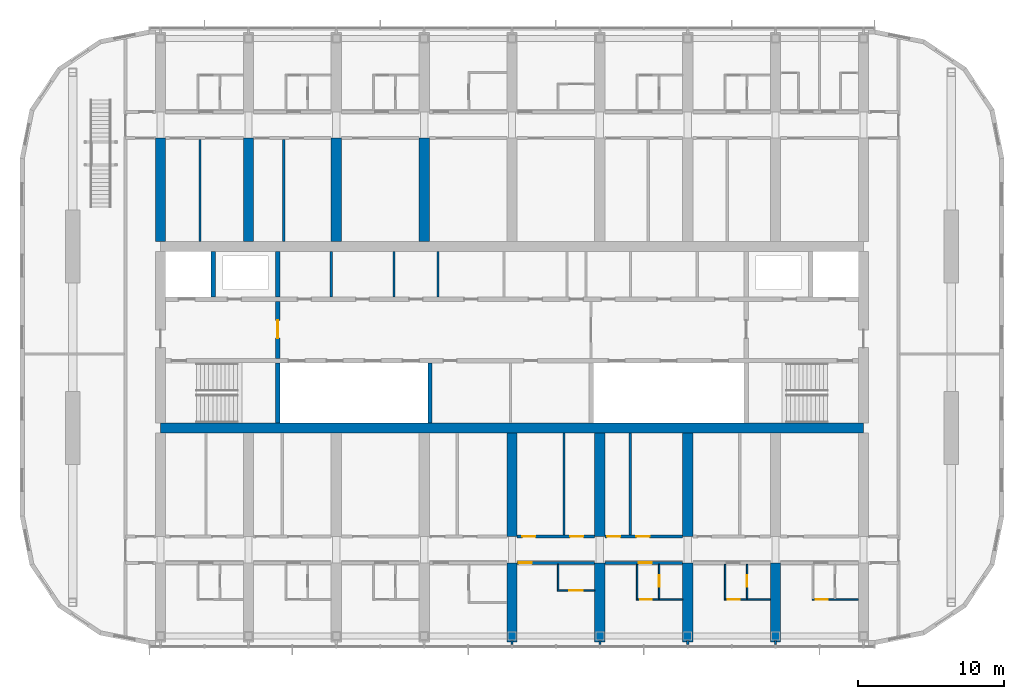
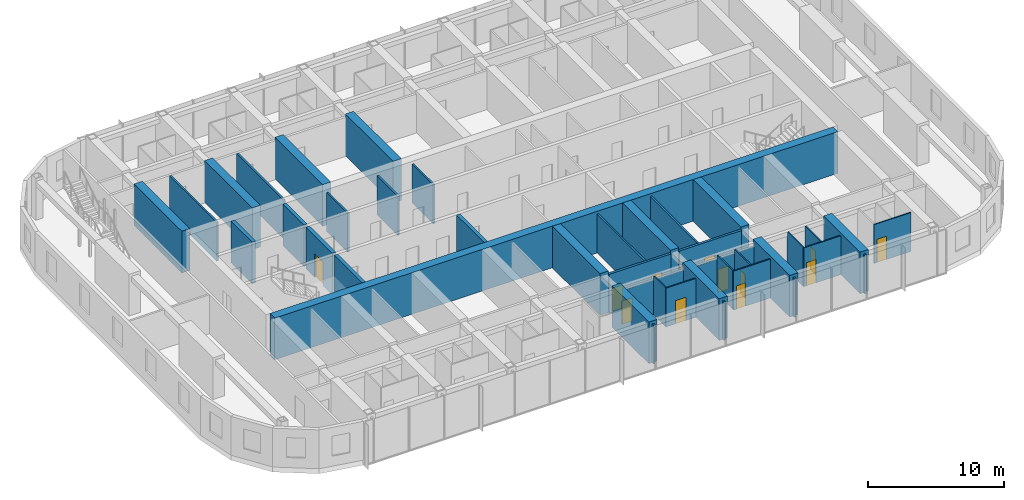
# One storey, part 14 of 27: 41 walls, 13 doors, 13 openings.
"""IFC4 building model written with IfcOpenShell, lengths in metres."""

from ifc_helpers import new_model, si_unit, direction, frame, frame_2d, origin, place, context, subcontext, project, spatial, polyline, rectangle, outline, extrude, material, layer, layer_set, type_object, element, fill, save


model = new_model("IFC4")

# Units and contexts
model_context = context("Model", 3, precision=1e-05, world=origin(), true_north=direction((0.0, 1.0)))
body_context = subcontext(model_context, "Body", "Model", "MODEL_VIEW")
ifc_project = project(units=[si_unit("LENGTHUNIT", "METRE"), si_unit("AREAUNIT", "SQUARE_METRE"), si_unit("VOLUMEUNIT", "CUBIC_METRE"), si_unit("PLANEANGLEUNIT", "RADIAN"), si_unit("MASSUNIT", "GRAM", prefix="KILO")], contexts=[model_context])

# Site, building, storey
site_placement = place(None, origin())
site = spatial("IfcSite", under=ifc_project, at=site_placement, CompositionType="ELEMENT")
building_placement = place(site_placement, origin())
building = spatial("IfcBuilding", under=site, at=building_placement, Name="Orbita Commons", CompositionType="ELEMENT")
storey_placement = place(building_placement, frame((0.0, 0.0, 246.550048828125)))
storey = spatial("IfcBuildingStorey", under=building, at=storey_placement, Name="L61", CompositionType="ELEMENT", Elevation=246.550048828125)

# Wall
ifc_material_1 = material(Name="Concrete C50/60", Category="concrete")
ifc_layer_1 = layer(ifc_material_1, 0.300048828125)
ifc_layer_set_1 = layer_set([ifc_layer_1], Name="Concrete C50/60")
wall_type_1 = type_object("IfcWallType", Name="Core inner wall 300 C50/60", PredefinedType="SHEAR", material=ifc_layer_set_1)
wall_1_placement = place(storey_placement, frame((26.0, 26.14990234375, 0.0), z_axis=(0.0, 0.0, 1.0), x_axis=(0.0, 1.0, 0.0)))
element("IfcWall", 1, at=wall_1_placement, inside=storey, type_object=wall_type_1, Name="Stair S1 wall L61", PredefinedType="SHEAR", context=body_context, shape_type="SweptSolid", body=[
    extrude(rectangle(XDim=4.10009765625, YDim=0.300048828125, at=frame_2d((2.050048828125, 0.0))), origin(), (0.0, 0.0, 1.0), 3.75),
])

# Wall, opening, door
wall_2_placement = place(storey_placement, frame((26.0, 30.550048828125, 0.0), z_axis=(0.0, 0.0, 1.0), x_axis=(0.0, 1.0, 0.0)))
wall_2 = element("IfcWall", 2, at=wall_2_placement, inside=storey, type_object=wall_type_1, Name="Firefighting lobby wall west L61", PredefinedType="SHEAR", context=body_context, shape_type="SweptSolid", body=[
    extrude(rectangle(XDim=3.89990234375, YDim=0.300048828125, at=frame_2d((1.949951171875, 0.0))), origin(), (0.0, 0.0, 1.0), 3.75),
])
opening_1_placement = place(wall_2_placement, frame((1.39990234375, 0.0, 0.0)))
opening_1 = element("IfcOpeningElement", 3, at=opening_1_placement, cuts=wall_2, Name="Opening D04", PredefinedType="OPENING", context=body_context, shape_type="SweptSolid", body=[
    extrude(rectangle(XDim=1.199951171875, YDim=2.10009765625, at=frame_2d((0.60009765625, 1.050048828125))), frame((0.0, 0.159912109375, 0.0), z_axis=(0.0, -1.0, 0.0), x_axis=(1.0, 0.0, 0.0)), (0.0, 0.0, 1.0), 0.320068359375),
])
ifc_material_2 = material(Name="Steel-faced fire door leaf", Category="steel")
door_type_1 = type_object("IfcDoorType", Name="Service door 20 min 1200x2100", OperationType="SINGLE_SWING_LEFT", PredefinedType="DOOR", material=ifc_material_2)
door_1_placement = place(opening_1_placement, origin())
door_1 = element("IfcDoor", 4, at=door_1_placement, inside=storey, type_object=door_type_1, Name="Lift lobby door west", OperationType="SINGLE_SWING_LEFT", OverallHeight=2.10009765625, OverallWidth=1.199951171875, PredefinedType="DOOR", context=body_context, shape_type="SweptSolid", body=[
    extrude(rectangle(XDim=1.199951171875, YDim=2.10009765625, at=frame_2d((0.60009765625, 1.050048828125))), frame((0.0, 0.02490234375, 0.0), z_axis=(0.0, -1.0, 0.0), x_axis=(1.0, 0.0, 0.0)), (0.0, 0.0, 1.0), 0.050048828125),
])
fill(opening_1, door_1)

# Walls
for number, where, z_axis, x_axis, name in (
    (5, (21.60009765625, 34.75, 0.0), (0.0, 0.0, 1.0), (0.0, 1.0, 0.0), "Firefighting lift FL1 shaft wall L61"),
    (6, (26.0, 34.75, 0.0), (0.0, 0.0, 1.0), (0.0, 1.0, 0.0), "Riser wall west L61"),
):
    element("IfcWall", number, at=place(storey_placement, frame(where, z_axis=z_axis, x_axis=x_axis)), inside=storey, type_object=wall_type_1, Name=name, PredefinedType="SHEAR", context=body_context, shape_type="SweptSolid", body=[
        extrude(rectangle(XDim=3.10009765625, YDim=0.300048828125, at=frame_2d((1.550048828125, 0.0))), origin(), (0.0, 0.0, 1.0), 3.75),
    ])
wall_3_placement = place(storey_placement, frame((36.39990234375, 26.14990234375, 0.0), z_axis=(0.0, 0.0, 1.0), x_axis=(0.0, 1.0, 0.0)))
element("IfcWall", 7, at=wall_3_placement, inside=storey, type_object=wall_type_1, Name="Hoistway division wall L61", PredefinedType="SHEAR", context=body_context, shape_type="SweptSolid", body=[
    extrude(rectangle(XDim=4.10009765625, YDim=0.300048828125, at=frame_2d((2.050048828125, 0.0))), origin(), (0.0, 0.0, 1.0), 3.75),
])
ifc_material_3 = material(Name="Concrete blockwork", Category="masonry")
ifc_layer_2 = layer(ifc_material_3, 0.14990234375)
ifc_layer_set_2 = layer_set([ifc_layer_2], Name="Concrete blockwork")
wall_type_2 = type_object("IfcWallType", Name="Core partition 150 blockwork", PredefinedType="SOLIDWALL", material=ifc_layer_set_2)
for number, where, z_axis, x_axis, name in (
    (8, (29.65087890625, 34.75, 0.0), (0.0, 0.0, 1.0), (0.0, 1.0, 0.0), "Core partition 150 blockwork L61"),
    (9, (33.9462890625, 34.75, 0.0), (0.0, 0.0, 1.0), (0.0, 1.0, 0.0), "Core partition 150 blockwork L61"),
    (10, (36.9462890625, 34.75, 0.0), (0.0, 0.0, 1.0), (0.0, 1.0, 0.0), "Core partition 150 blockwork L61"),
):
    element("IfcWall", number, at=place(storey_placement, frame(where, z_axis=z_axis, x_axis=x_axis)), inside=storey, type_object=wall_type_2, Name=name, PredefinedType="SOLIDWALL", context=body_context, shape_type="SweptSolid", body=[
        extrude(rectangle(XDim=3.10009765625, YDim=0.14990234375, at=frame_2d((1.550048828125, 0.0))), origin(), (0.0, 0.0, 1.0), 3.5),
    ])
ifc_material_4 = material(Name="Concrete C50/60", Category="concrete")
ifc_layer_3 = layer(ifc_material_4, 0.699951171875)
ifc_layer_set_3 = layer_set([ifc_layer_3], Name="Concrete C50/60")
wall_type_3 = type_object("IfcWallType", Name="Core wall 700 C50/60", PredefinedType="SHEAR", material=ifc_layer_set_3)
wall_4_placement = place(storey_placement, frame((18.0, 25.800048828125, 0.0), z_axis=(0.0, 0.0, 1.0), x_axis=(1.0, 0.0, 0.0)))
element("IfcWall", 11, at=wall_4_placement, inside=storey, type_object=wall_type_3, Name="Core spine wall south L61", PredefinedType="SHEAR", context=body_context, shape_type="SweptSolid", body=[
    extrude(rectangle(XDim=48.0, YDim=0.699951171875, at=frame_2d((24.0, 0.0))), origin(), (0.0, 0.0, 1.0), 3.75),
])

# Wall, opening, door
ifc_material_5 = material(Name="Concrete blockwork", Category="masonry")
ifc_layer_4 = layer(ifc_material_5, 0.199951171875)
ifc_layer_set_4 = layer_set([ifc_layer_4], Name="Concrete blockwork")
wall_type_4 = type_object("IfcWallType", Name="Corridor wall 200 blockwork", PredefinedType="SOLIDWALL", material=ifc_layer_set_4)
wall_5_placement = place(storey_placement, frame((42.35009765625, 16.60009765625, 0.0), z_axis=(0.0, 0.0, 1.0), x_axis=(1.0, 0.0, 0.0)))
wall_5 = element("IfcWall", 12, at=wall_5_placement, inside=storey, type_object=wall_type_4, Name="Corridor wall 200 blockwork L61", PredefinedType="SOLIDWALL", context=body_context, shape_type="SweptSolid", body=[
    extrude(outline(polyline([(0.0, 0.0), (5.2998046875, 0.0), (5.300048828125, 3.099853515625), (0.0, 3.099853515625), (0.0, 0.0)])), frame((0.0, 0.10009765625, 0.0), z_axis=(0.0, -1.0, 0.0), x_axis=(1.0, 0.0, 0.0)), (0.0, 0.0, 1.0), 0.199951171875),
])
opening_2_placement = place(wall_5_placement, frame((0.10009765625, 0.0, 0.0)))
opening_2 = element("IfcOpeningElement", 13, at=opening_2_placement, cuts=wall_5, Name="Opening D11", PredefinedType="OPENING", context=body_context, shape_type="SweptSolid", body=[
    extrude(rectangle(XDim=0.89990234375, YDim=2.10009765625, at=frame_2d((0.449951171875, 1.050048828125))), frame((0.0, 0.10986328125, 0.0), z_axis=(0.0, -1.0, 0.0), x_axis=(1.0, 0.0, 0.0)), (0.0, 0.0, 1.0), 0.219970703125),
])
ifc_material_6 = material(Name="Steel-faced fire door leaf", Category="steel")
door_type_2 = type_object("IfcDoorType", Name="Corridor door 20 min 900x2100", OperationType="SINGLE_SWING_LEFT", PredefinedType="DOOR", material=ifc_material_6)
door_2_placement = place(opening_2_placement, origin())
door_2 = element("IfcDoor", 14, at=door_2_placement, inside=storey, type_object=door_type_2, Name="Studio apartment with kitchenette L61-S08 door", OperationType="SINGLE_SWING_LEFT", OverallHeight=2.10009765625, OverallWidth=0.89990234375, PredefinedType="DOOR", context=body_context, shape_type="SweptSolid", body=[
    extrude(rectangle(XDim=0.89990234375, YDim=2.10009765625, at=frame_2d((0.449951171875, 1.050048828125))), frame((0.0, 0.02490234375, 0.0), z_axis=(0.0, -1.0, 0.0), x_axis=(1.0, 0.0, 0.0)), (0.0, 0.0, 1.0), 0.050048828125),
])
fill(opening_2, door_2)

wall_6_placement = place(storey_placement, frame((48.35009765625, 16.60009765625, 0.0), z_axis=(0.0, 0.0, 1.0), x_axis=(1.0, 0.0, 0.0)))
wall_6 = element("IfcWall", 15, at=wall_6_placement, inside=storey, type_object=wall_type_4, Name="Corridor wall 200 blockwork L61", PredefinedType="SOLIDWALL", context=body_context, shape_type="SweptSolid", body=[
    extrude(outline(polyline([(0.0, 0.0), (5.2998046875, 0.0), (5.300048828125, 3.099853515625), (0.0, 3.099853515625), (0.0, 0.0)])), frame((0.0, 0.10009765625, 0.0), z_axis=(0.0, -1.0, 0.0), x_axis=(1.0, 0.0, 0.0)), (0.0, 0.0, 1.0), 0.199951171875),
])
opening_3_placement = place(wall_6_placement, frame((2.300048828125, 0.0, 0.0)))
opening_3 = element("IfcOpeningElement", 16, at=opening_3_placement, cuts=wall_6, Name="Opening D11", PredefinedType="OPENING", context=body_context, shape_type="SweptSolid", body=[
    extrude(rectangle(XDim=0.89990234375, YDim=2.10009765625, at=frame_2d((0.449951171875, 1.050048828125))), frame((0.0, 0.10986328125, 0.0), z_axis=(0.0, -1.0, 0.0), x_axis=(1.0, 0.0, 0.0)), (0.0, 0.0, 1.0), 0.219970703125),
])
door_3_placement = place(opening_3_placement, origin())
door_3 = element("IfcDoor", 17, at=door_3_placement, inside=storey, type_object=door_type_2, Name="Studio flat L61-S10 entrance door", OperationType="SINGLE_SWING_LEFT", OverallHeight=2.10009765625, OverallWidth=0.89990234375, PredefinedType="DOOR", context=body_context, shape_type="SweptSolid", body=[
    extrude(rectangle(XDim=0.89990234375, YDim=2.10009765625, at=frame_2d((0.449951171875, 1.050048828125))), frame((0.0, 0.02490234375, 0.0), z_axis=(0.0, -1.0, 0.0), x_axis=(1.0, 0.0, 0.0)), (0.0, 0.0, 1.0), 0.050048828125),
])
fill(opening_3, door_3)

# Wall, openings, doors
ifc_material_7 = material(Name="Hollow concrete block 200", Category="concrete")
ifc_layer_5 = layer(ifc_material_7, 0.199951171875)
ifc_layer_set_5 = layer_set([ifc_layer_5], Name="Hollow concrete block 200")
wall_type_5 = type_object("IfcWallType", Name="Corridor wall 200 hollow concrete block", PredefinedType="SOLIDWALL", material=ifc_layer_set_5)
wall_7_placement = place(storey_placement, frame((42.35009765625, 18.39990234375, 0.0), z_axis=(0.0, 0.0, 1.0), x_axis=(1.0, 0.0, 0.0)))
wall_7 = element("IfcWall", 18, at=wall_7_placement, inside=storey, type_object=wall_type_5, Name="Corridor wall 200 hollow concrete block L61", PredefinedType="SOLIDWALL", context=body_context, shape_type="SweptSolid", body=[
    extrude(rectangle(XDim=5.2998046875, YDim=0.199951171875, at=frame_2d((2.64990234375, 0.0))), origin(), (0.0, 0.0, 1.0), 3.5),
])
opening_4_placement = place(wall_7_placement, frame((0.35009765625, 0.0, 0.0)))
opening_4 = element("IfcOpeningElement", 19, at=opening_4_placement, cuts=wall_7, Name="Opening D11", PredefinedType="OPENING", context=body_context, shape_type="SweptSolid", body=[
    extrude(rectangle(XDim=0.89990234375, YDim=2.10009765625, at=frame_2d((0.449951171875, 1.050048828125))), frame((0.0, 0.10986328125, 0.0), z_axis=(0.0, -1.0, 0.0), x_axis=(1.0, 0.0, 0.0)), (0.0, 0.0, 1.0), 0.219970703125),
])
opening_5_placement = place(wall_7_placement, frame((3.6201171875, 0.0, 0.0)))
opening_5 = element("IfcOpeningElement", 20, at=opening_5_placement, cuts=wall_7, Name="Opening D11", PredefinedType="OPENING", context=body_context, shape_type="SweptSolid", body=[
    extrude(rectangle(XDim=0.89990234375, YDim=2.10009765625, at=frame_2d((0.449951171875, 1.050048828125))), frame((0.0, 0.10986328125, 0.0), z_axis=(0.0, -1.0, 0.0), x_axis=(1.0, 0.0, 0.0)), (0.0, 0.0, 1.0), 0.219970703125),
])
door_4_placement = place(opening_4_placement, origin())
door_4 = element("IfcDoor", 21, at=door_4_placement, inside=storey, type_object=door_type_2, Name="Ventilation plant room south L61-BDS42 door", OperationType="SINGLE_SWING_LEFT", OverallHeight=2.10009765625, OverallWidth=0.89990234375, PredefinedType="DOOR", context=body_context, shape_type="SweptSolid", body=[
    extrude(rectangle(XDim=0.89990234375, YDim=2.10009765625, at=frame_2d((0.449951171875, 1.050048828125))), frame((0.0, 0.02490234375, 0.0), z_axis=(0.0, -1.0, 0.0), x_axis=(1.0, 0.0, 0.0)), (0.0, 0.0, 1.0), 0.050048828125),
])
fill(opening_4, door_4)
door_5_placement = place(opening_5_placement, origin())
door_5 = element("IfcDoor", 22, at=door_5_placement, inside=storey, type_object=door_type_2, Name="Water heater cupboard L61-BDS42n door", OperationType="SINGLE_SWING_LEFT", OverallHeight=2.10009765625, OverallWidth=0.89990234375, PredefinedType="DOOR", context=body_context, shape_type="SweptSolid", body=[
    extrude(rectangle(XDim=0.89990234375, YDim=2.10009765625, at=frame_2d((0.449951171875, 1.050048828125))), frame((0.0, 0.02490234375, 0.0), z_axis=(0.0, -1.0, 0.0), x_axis=(1.0, 0.0, 0.0)), (0.0, 0.0, 1.0), 0.050048828125),
])
fill(opening_5, door_5)

wall_8_placement = place(storey_placement, frame((48.35009765625, 18.39990234375, 0.0), z_axis=(0.0, 0.0, 1.0), x_axis=(1.0, 0.0, 0.0)))
wall_8 = element("IfcWall", 23, at=wall_8_placement, inside=storey, type_object=wall_type_5, Name="Corridor wall 200 hollow concrete block L61", PredefinedType="SOLIDWALL", context=body_context, shape_type="SweptSolid", body=[
    extrude(rectangle(XDim=5.2998046875, YDim=0.199951171875, at=frame_2d((2.64990234375, 0.0))), origin(), (0.0, 0.0, 1.0), 3.5),
])
opening_6_placement = place(wall_8_placement, frame((0.14990234375, 0.0, 0.0)))
opening_6 = element("IfcOpeningElement", 24, at=opening_6_placement, cuts=wall_8, Name="Opening D11", PredefinedType="OPENING", context=body_context, shape_type="SweptSolid", body=[
    extrude(rectangle(XDim=0.89990234375, YDim=2.10009765625, at=frame_2d((0.449951171875, 1.050048828125))), frame((0.0, 0.10986328125, 0.0), z_axis=(0.0, -1.0, 0.0), x_axis=(1.0, 0.0, 0.0)), (0.0, 0.0, 1.0), 0.219970703125),
])
opening_7_placement = place(wall_8_placement, frame((2.14990234375, 0.0, 0.0)))
opening_7 = element("IfcOpeningElement", 25, at=opening_7_placement, cuts=wall_8, Name="Opening D11", PredefinedType="OPENING", context=body_context, shape_type="SweptSolid", body=[
    extrude(rectangle(XDim=0.89990234375, YDim=2.10009765625, at=frame_2d((0.449951171875, 1.050048828125))), frame((0.0, 0.10986328125, 0.0), z_axis=(0.0, -1.0, 0.0), x_axis=(1.0, 0.0, 0.0)), (0.0, 0.0, 1.0), 0.219970703125),
])
door_6_placement = place(opening_6_placement, origin())
door_6 = element("IfcDoor", 26, at=door_6_placement, inside=storey, type_object=door_type_2, Name="Equipment store L61-BDS48n door", OperationType="SINGLE_SWING_LEFT", OverallHeight=2.10009765625, OverallWidth=0.89990234375, PredefinedType="DOOR", context=body_context, shape_type="SweptSolid", body=[
    extrude(rectangle(XDim=0.89990234375, YDim=2.10009765625, at=frame_2d((0.449951171875, 1.050048828125))), frame((0.0, 0.02490234375, 0.0), z_axis=(0.0, -1.0, 0.0), x_axis=(1.0, 0.0, 0.0)), (0.0, 0.0, 1.0), 0.050048828125),
])
fill(opening_6, door_6)
door_7_placement = place(opening_7_placement, origin())
door_7 = element("IfcDoor", 27, at=door_7_placement, inside=storey, type_object=door_type_2, Name="Refuse and recycling room L61-BDS48 door", OperationType="SINGLE_SWING_LEFT", OverallHeight=2.10009765625, OverallWidth=0.89990234375, PredefinedType="DOOR", context=body_context, shape_type="SweptSolid", body=[
    extrude(rectangle(XDim=0.89990234375, YDim=2.10009765625, at=frame_2d((0.449951171875, 1.050048828125))), frame((0.0, 0.02490234375, 0.0), z_axis=(0.0, -1.0, 0.0), x_axis=(1.0, 0.0, 0.0)), (0.0, 0.0, 1.0), 0.050048828125),
])
fill(opening_7, door_7)

# Walls
ifc_material_8 = material(Name="Concrete C50/60", Category="concrete")
ifc_layer_6 = layer(ifc_material_8, 0.699951171875)
ifc_layer_set_6 = layer_set([ifc_layer_6], Name="Concrete C50/60")
wall_type_6 = type_object("IfcWallType", Name="Cross wall 700 C50/60", PredefinedType="SHEAR", material=ifc_layer_set_6)
for number, where, z_axis, x_axis, name in (
    (28, (18.0, 38.550048828125, 0.0), (0.0, 0.0, 1.0), (0.0, 1.0, 0.0), "Cross wall 4 north inner L61"),
    (29, (24.0, 38.550048828125, 0.0), (0.0, 0.0, 1.0), (0.0, 1.0, 0.0), "Cross wall 5 north inner L61"),
    (30, (30.0, 38.550048828125, 0.0), (0.0, 0.0, 1.0), (0.0, 1.0, 0.0), "Cross wall 6 north inner L61"),
    (31, (36.0, 38.550048828125, 0.0), (0.0, 0.0, 1.0), (0.0, 1.0, 0.0), "Cross wall 7 north inner L61"),
):
    element("IfcWall", number, at=place(storey_placement, frame(where, z_axis=z_axis, x_axis=x_axis)), inside=storey, type_object=wall_type_6, Name=name, PredefinedType="SHEAR", context=body_context, shape_type="SweptSolid", body=[
        extrude(rectangle(XDim=7.050048828125, YDim=0.699951171875, at=frame_2d((3.52490234375, 0.0))), origin(), (0.0, 0.0, 1.0), 3.75),
    ])
wall_9_placement = place(storey_placement, frame((42.0, 11.199951171875, 0.0), z_axis=(0.0, 0.0, 1.0), x_axis=(0.0, 1.0, 0.0)))
element("IfcWall", 32, at=wall_9_placement, inside=storey, type_object=wall_type_6, Name="Cross wall 8 south outer L61", PredefinedType="SHEAR", context=body_context, shape_type="SweptSolid", body=[
    extrude(rectangle(XDim=5.400146484375, YDim=0.699951171875, at=frame_2d((2.7001953125, 0.0))), origin(), (0.0, 0.0, 1.0), 3.75),
])
wall_10_placement = place(storey_placement, frame((42.0, 18.39990234375, 0.0), z_axis=(0.0, 0.0, 1.0), x_axis=(0.0, 1.0, 0.0)))
element("IfcWall", 33, at=wall_10_placement, inside=storey, type_object=wall_type_6, Name="Cross wall 8 south inner L61", PredefinedType="SHEAR", context=body_context, shape_type="SweptSolid", body=[
    extrude(rectangle(XDim=7.050048828125, YDim=0.699951171875, at=frame_2d((3.52490234375, 0.0))), origin(), (0.0, 0.0, 1.0), 3.75),
])
wall_11_placement = place(storey_placement, frame((48.0, 11.199951171875, 0.0), z_axis=(0.0, 0.0, 1.0), x_axis=(0.0, 1.0, 0.0)))
element("IfcWall", 34, at=wall_11_placement, inside=storey, type_object=wall_type_6, Name="Cross wall 9 south outer L61", PredefinedType="SHEAR", context=body_context, shape_type="SweptSolid", body=[
    extrude(rectangle(XDim=5.400146484375, YDim=0.699951171875, at=frame_2d((2.7001953125, 0.0))), origin(), (0.0, 0.0, 1.0), 3.75),
])
wall_12_placement = place(storey_placement, frame((48.0, 18.39990234375, 0.0), z_axis=(0.0, 0.0, 1.0), x_axis=(0.0, 1.0, 0.0)))
element("IfcWall", 35, at=wall_12_placement, inside=storey, type_object=wall_type_6, Name="Cross wall 9 south inner L61", PredefinedType="SHEAR", context=body_context, shape_type="SweptSolid", body=[
    extrude(rectangle(XDim=7.050048828125, YDim=0.699951171875, at=frame_2d((3.52490234375, 0.0))), origin(), (0.0, 0.0, 1.0), 3.75),
])
wall_13_placement = place(storey_placement, frame((54.0, 11.199951171875, 0.0), z_axis=(0.0, 0.0, 1.0), x_axis=(0.0, 1.0, 0.0)))
element("IfcWall", 36, at=wall_13_placement, inside=storey, type_object=wall_type_6, Name="Cross wall 10 south outer L61", PredefinedType="SHEAR", context=body_context, shape_type="SweptSolid", body=[
    extrude(rectangle(XDim=5.400146484375, YDim=0.699951171875, at=frame_2d((2.7001953125, 0.0))), origin(), (0.0, 0.0, 1.0), 3.75),
])
wall_14_placement = place(storey_placement, frame((54.0, 18.39990234375, 0.0), z_axis=(0.0, 0.0, 1.0), x_axis=(0.0, 1.0, 0.0)))
element("IfcWall", 37, at=wall_14_placement, inside=storey, type_object=wall_type_6, Name="Cross wall 10 south inner L61", PredefinedType="SHEAR", context=body_context, shape_type="SweptSolid", body=[
    extrude(rectangle(XDim=7.050048828125, YDim=0.699951171875, at=frame_2d((3.52490234375, 0.0))), origin(), (0.0, 0.0, 1.0), 3.75),
])
wall_15_placement = place(storey_placement, frame((60.0, 11.199951171875, 0.0), z_axis=(0.0, 0.0, 1.0), x_axis=(0.0, 1.0, 0.0)))
element("IfcWall", 38, at=wall_15_placement, inside=storey, type_object=wall_type_6, Name="Cross wall 11 south outer L61", PredefinedType="SHEAR", context=body_context, shape_type="SweptSolid", body=[
    extrude(rectangle(XDim=5.400146484375, YDim=0.699951171875, at=frame_2d((2.7001953125, 0.0))), origin(), (0.0, 0.0, 1.0), 3.75),
])

# Wall, opening, door
ifc_material_9 = material(Name="Moisture-resistant plasterboard on steel studs", Category="steel")
ifc_layer_7 = layer(ifc_material_9, 0.10009765625)
ifc_layer_set_7 = layer_set([ifc_layer_7], Name="Moisture-resistant plasterboard on steel studs")
wall_type_7 = type_object("IfcWallType", Name="En-suite partition 100", PredefinedType="PARTITIONING", material=ifc_layer_set_7)
wall_16_placement = place(storey_placement, frame((47.64990234375, 14.699951171875, 0.0), z_axis=(0.0, 0.0, 1.0), x_axis=(-1.0, 0.0, 0.0)))
wall_16 = element("IfcWall", 39, at=wall_16_placement, inside=storey, type_object=wall_type_7, Name="En-suite partition 100 L61", PredefinedType="PARTITIONING", context=body_context, shape_type="SweptSolid", body=[
    extrude(rectangle(XDim=2.5498046875, YDim=0.10009765625, at=frame_2d((1.27490234375, 0.0))), origin(), (0.0, 0.0, 1.0), 3.5),
])
opening_8_placement = place(wall_16_placement, frame((0.824951171875, 0.0, 0.0)))
opening_8 = element("IfcOpeningElement", 40, at=opening_8_placement, cuts=wall_16, Name="Opening D09", PredefinedType="OPENING", context=body_context, shape_type="SweptSolid", body=[
    extrude(rectangle(XDim=0.89990234375, YDim=2.10009765625, at=frame_2d((0.449951171875, 1.050048828125))), frame((0.0, 0.06005859375, 0.0), z_axis=(0.0, -1.0, 0.0), x_axis=(1.0, 0.0, 0.0)), (0.0, 0.0, 1.0), 0.1201171875),
])
ifc_material_10 = material(Name="Laminated timber door leaf", Category="wood")
door_type_3 = type_object("IfcDoorType", Name="En-suite door 900x2100", OperationType="SINGLE_SWING_RIGHT", PredefinedType="DOOR", material=ifc_material_10)
door_8_placement = place(opening_8_placement, origin())
door_8 = element("IfcDoor", 41, at=door_8_placement, inside=storey, type_object=door_type_3, Name="En-suite L61-S08 door", OperationType="SINGLE_SWING_RIGHT", OverallHeight=2.10009765625, OverallWidth=0.89990234375, PredefinedType="DOOR", context=body_context, shape_type="SweptSolid", body=[
    extrude(rectangle(XDim=0.89990234375, YDim=2.10009765625, at=frame_2d((0.449951171875, 1.050048828125))), frame((0.0, 0.02490234375, 0.0), z_axis=(0.0, -1.0, 0.0), x_axis=(1.0, 0.0, 0.0)), (0.0, 0.0, 1.0), 0.050048828125),
])
fill(opening_8, door_8)

# Wall
wall_17_placement = place(storey_placement, frame((45.14990234375, 14.75, 0.0), z_axis=(0.0, 0.0, 1.0), x_axis=(0.0, 1.0, 0.0)))
element("IfcWall", 42, at=wall_17_placement, inside=storey, type_object=wall_type_7, Name="En-suite partition 100 L61", PredefinedType="PARTITIONING", context=body_context, shape_type="SweptSolid", body=[
    extrude(outline(polyline([(0.0, 0.0), (1.75, 0.0), (1.75, 3.099853515625), (1.701904296875, 3.099853515625), (1.699951171875, 3.5), (0.0, 3.5), (0.0, 0.0)])), frame((0.0, 0.050048828125, 0.0), z_axis=(0.0, -1.0, 0.0), x_axis=(1.0, 0.0, 0.0)), (0.0, 0.0, 1.0), 0.10009765625),
])

# Wall, opening, door
wall_18_placement = place(storey_placement, frame((53.64990234375, 14.10009765625, 0.0), z_axis=(0.0, 0.0, 1.0), x_axis=(-1.0, 0.0, 0.0)))
wall_18 = element("IfcWall", 43, at=wall_18_placement, inside=storey, type_object=wall_type_7, Name="En-suite partition 100 L61", PredefinedType="PARTITIONING", context=body_context, shape_type="SweptSolid", body=[
    extrude(rectangle(XDim=3.14990234375, YDim=0.10009765625, at=frame_2d((1.574951171875, 0.0))), origin(), (0.0, 0.0, 1.0), 3.5),
])
opening_9_placement = place(wall_18_placement, frame((2.10009765625, 0.0, 0.0)))
opening_9 = element("IfcOpeningElement", 44, at=opening_9_placement, cuts=wall_18, Name="Opening D16", PredefinedType="OPENING", context=body_context, shape_type="SweptSolid", body=[
    extrude(rectangle(XDim=0.800048828125, YDim=2.10009765625, at=frame_2d((0.39990234375, 1.050048828125))), frame((0.0, 0.06005859375, 0.0), z_axis=(0.0, -1.0, 0.0), x_axis=(1.0, 0.0, 0.0)), (0.0, 0.0, 1.0), 0.1201171875),
])
ifc_material_11 = material(Name="Laminated timber door leaf", Category="wood")
door_type_4 = type_object("IfcDoorType", Name="En-suite door 800x2100", OperationType="SINGLE_SWING_RIGHT", PredefinedType="DOOR", material=ifc_material_11)
door_9_placement = place(opening_9_placement, origin())
door_9 = element("IfcDoor", 45, at=door_9_placement, inside=storey, type_object=door_type_4, Name="Studio flat L61-S10 door", OperationType="SINGLE_SWING_RIGHT", OverallHeight=2.10009765625, OverallWidth=0.800048828125, PredefinedType="DOOR", context=body_context, shape_type="SweptSolid", body=[
    extrude(rectangle(XDim=0.800048828125, YDim=2.10009765625, at=frame_2d((0.39990234375, 1.050048828125))), frame((0.0, 0.02490234375, 0.0), z_axis=(0.0, -1.0, 0.0), x_axis=(1.0, 0.0, 0.0)), (0.0, 0.0, 1.0), 0.050048828125),
])
fill(opening_9, door_9)

# Wall
wall_19_placement = place(storey_placement, frame((50.550048828125, 14.14990234375, 0.0), z_axis=(0.0, 0.0, 1.0), x_axis=(0.0, 1.0, 0.0)))
element("IfcWall", 46, at=wall_19_placement, inside=storey, type_object=wall_type_7, Name="En-suite partition 100 L61", PredefinedType="PARTITIONING", context=body_context, shape_type="SweptSolid", body=[
    extrude(outline(polyline([(0.0, 0.0), (2.35009765625, 0.0), (2.35009765625, 3.099853515625), (2.302001953125, 3.099853515625), (2.300048828125, 3.5), (0.0, 3.5), (0.0, 0.0)])), frame((0.0, 0.050048828125, 0.0), z_axis=(0.0, -1.0, 0.0), x_axis=(1.0, 0.0, 0.0)), (0.0, 0.0, 1.0), 0.10009765625),
])

# Wall, opening, door
wall_20_placement = place(storey_placement, frame((52.050048828125, 14.14990234375, 0.0), z_axis=(0.0, 0.0, 1.0), x_axis=(0.0, 1.0, 0.0)))
wall_20 = element("IfcWall", 47, at=wall_20_placement, inside=storey, type_object=wall_type_7, Name="En-suite partition 100 L61", PredefinedType="PARTITIONING", context=body_context, shape_type="SweptSolid", body=[
    extrude(outline(polyline([(0.0, 0.0), (2.35009765625, 0.0), (2.35009765625, 3.099853515625), (2.302001953125, 3.099853515625), (2.300048828125, 3.5), (0.0, 3.5), (0.0, 0.0)])), frame((0.0, 0.050048828125, 0.0), z_axis=(0.0, -1.0, 0.0), x_axis=(1.0, 0.0, 0.0)), (0.0, 0.0, 1.0), 0.10009765625),
])
opening_10_placement = place(wall_20_placement, frame((0.800048828125, 0.0, 0.0)))
opening_10 = element("IfcOpeningElement", 48, at=opening_10_placement, cuts=wall_20, Name="Opening D16", PredefinedType="OPENING", context=body_context, shape_type="SweptSolid", body=[
    extrude(rectangle(XDim=0.800048828125, YDim=2.10009765625, at=frame_2d((0.39990234375, 1.050048828125))), frame((0.0, 0.06005859375, 0.0), z_axis=(0.0, -1.0, 0.0), x_axis=(1.0, 0.0, 0.0)), (0.0, 0.0, 1.0), 0.1201171875),
])
door_10_placement = place(opening_10_placement, origin())
door_10 = element("IfcDoor", 49, at=door_10_placement, inside=storey, type_object=door_type_4, Name="Studio flat shower room L61-S10 door", OperationType="SINGLE_SWING_RIGHT", OverallHeight=2.10009765625, OverallWidth=0.800048828125, PredefinedType="DOOR", context=body_context, shape_type="SweptSolid", body=[
    extrude(rectangle(XDim=0.800048828125, YDim=2.10009765625, at=frame_2d((0.39990234375, 1.050048828125))), frame((0.0, 0.02490234375, 0.0), z_axis=(0.0, -1.0, 0.0), x_axis=(1.0, 0.0, 0.0)), (0.0, 0.0, 1.0), 0.050048828125),
])
fill(opening_10, door_10)

wall_21_placement = place(storey_placement, frame((59.64990234375, 14.10009765625, 0.0), z_axis=(0.0, 0.0, 1.0), x_axis=(-1.0, 0.0, 0.0)))
wall_21 = element("IfcWall", 50, at=wall_21_placement, inside=storey, type_object=wall_type_7, Name="En-suite partition 100 L61", PredefinedType="PARTITIONING", context=body_context, shape_type="SweptSolid", body=[
    extrude(rectangle(XDim=3.14990234375, YDim=0.10009765625, at=frame_2d((1.574951171875, 0.0))), origin(), (0.0, 0.0, 1.0), 3.5),
])
opening_11_placement = place(wall_21_placement, frame((2.10009765625, 0.0, 0.0)))
opening_11 = element("IfcOpeningElement", 51, at=opening_11_placement, cuts=wall_21, Name="Opening D16", PredefinedType="OPENING", context=body_context, shape_type="SweptSolid", body=[
    extrude(rectangle(XDim=0.800048828125, YDim=2.10009765625, at=frame_2d((0.39990234375, 1.050048828125))), frame((0.0, 0.06005859375, 0.0), z_axis=(0.0, -1.0, 0.0), x_axis=(1.0, 0.0, 0.0)), (0.0, 0.0, 1.0), 0.1201171875),
])
door_11_placement = place(opening_11_placement, origin())
door_11 = element("IfcDoor", 52, at=door_11_placement, inside=storey, type_object=door_type_4, Name="Studio flat L61-S12 door", OperationType="SINGLE_SWING_RIGHT", OverallHeight=2.10009765625, OverallWidth=0.800048828125, PredefinedType="DOOR", context=body_context, shape_type="SweptSolid", body=[
    extrude(rectangle(XDim=0.800048828125, YDim=2.10009765625, at=frame_2d((0.39990234375, 1.050048828125))), frame((0.0, 0.02490234375, 0.0), z_axis=(0.0, -1.0, 0.0), x_axis=(1.0, 0.0, 0.0)), (0.0, 0.0, 1.0), 0.050048828125),
])
fill(opening_11, door_11)

# Wall
wall_22_placement = place(storey_placement, frame((56.550048828125, 14.14990234375, 0.0), z_axis=(0.0, 0.0, 1.0), x_axis=(0.0, 1.0, 0.0)))
element("IfcWall", 53, at=wall_22_placement, inside=storey, type_object=wall_type_7, Name="En-suite partition 100 L61", PredefinedType="PARTITIONING", context=body_context, shape_type="SweptSolid", body=[
    extrude(outline(polyline([(0.0, 0.0), (2.35009765625, 0.0), (2.35009765625, 3.099853515625), (2.302001953125, 3.099853515625), (2.300048828125, 3.5), (0.0, 3.5), (0.0, 0.0)])), frame((0.0, 0.050048828125, 0.0), z_axis=(0.0, -1.0, 0.0), x_axis=(1.0, 0.0, 0.0)), (0.0, 0.0, 1.0), 0.10009765625),
])

# Wall, opening, door
wall_23_placement = place(storey_placement, frame((58.050048828125, 14.14990234375, 0.0), z_axis=(0.0, 0.0, 1.0), x_axis=(0.0, 1.0, 0.0)))
wall_23 = element("IfcWall", 54, at=wall_23_placement, inside=storey, type_object=wall_type_7, Name="En-suite partition 100 L61", PredefinedType="PARTITIONING", context=body_context, shape_type="SweptSolid", body=[
    extrude(outline(polyline([(0.0, 0.0), (2.35009765625, 0.0), (2.35009765625, 3.099853515625), (2.302001953125, 3.099853515625), (2.300048828125, 3.5), (0.0, 3.5), (0.0, 0.0)])), frame((0.0, 0.050048828125, 0.0), z_axis=(0.0, -1.0, 0.0), x_axis=(1.0, 0.0, 0.0)), (0.0, 0.0, 1.0), 0.10009765625),
])
opening_12_placement = place(wall_23_placement, frame((0.800048828125, 0.0, 0.0)))
opening_12 = element("IfcOpeningElement", 55, at=opening_12_placement, cuts=wall_23, Name="Opening D16", PredefinedType="OPENING", context=body_context, shape_type="SweptSolid", body=[
    extrude(rectangle(XDim=0.800048828125, YDim=2.10009765625, at=frame_2d((0.39990234375, 1.050048828125))), frame((0.0, 0.06005859375, 0.0), z_axis=(0.0, -1.0, 0.0), x_axis=(1.0, 0.0, 0.0)), (0.0, 0.0, 1.0), 0.1201171875),
])
door_12_placement = place(opening_12_placement, origin())
door_12 = element("IfcDoor", 56, at=door_12_placement, inside=storey, type_object=door_type_4, Name="Studio flat shower room L61-S12 door", OperationType="SINGLE_SWING_RIGHT", OverallHeight=2.10009765625, OverallWidth=0.800048828125, PredefinedType="DOOR", context=body_context, shape_type="SweptSolid", body=[
    extrude(rectangle(XDim=0.800048828125, YDim=2.10009765625, at=frame_2d((0.39990234375, 1.050048828125))), frame((0.0, 0.02490234375, 0.0), z_axis=(0.0, -1.0, 0.0), x_axis=(1.0, 0.0, 0.0)), (0.0, 0.0, 1.0), 0.050048828125),
])
fill(opening_12, door_12)

wall_24_placement = place(storey_placement, frame((65.64990234375, 14.10009765625, 0.0), z_axis=(0.0, 0.0, 1.0), x_axis=(-1.0, 0.0, 0.0)))
wall_24 = element("IfcWall", 57, at=wall_24_placement, inside=storey, type_object=wall_type_7, Name="En-suite partition 100 L61", PredefinedType="PARTITIONING", context=body_context, shape_type="SweptSolid", body=[
    extrude(rectangle(XDim=3.14990234375, YDim=0.10009765625, at=frame_2d((1.574951171875, 0.0))), origin(), (0.0, 0.0, 1.0), 3.5),
])
opening_13_placement = place(wall_24_placement, frame((2.10009765625, 0.0, 0.0)))
opening_13 = element("IfcOpeningElement", 58, at=opening_13_placement, cuts=wall_24, Name="Opening D16", PredefinedType="OPENING", context=body_context, shape_type="SweptSolid", body=[
    extrude(rectangle(XDim=0.800048828125, YDim=2.10009765625, at=frame_2d((0.39990234375, 1.050048828125))), frame((0.0, 0.06005859375, 0.0), z_axis=(0.0, -1.0, 0.0), x_axis=(1.0, 0.0, 0.0)), (0.0, 0.0, 1.0), 0.1201171875),
])
door_13_placement = place(opening_13_placement, origin())
door_13 = element("IfcDoor", 59, at=door_13_placement, inside=storey, type_object=door_type_4, Name="Studio flat L61-S14 door", OperationType="SINGLE_SWING_RIGHT", OverallHeight=2.10009765625, OverallWidth=0.800048828125, PredefinedType="DOOR", context=body_context, shape_type="SweptSolid", body=[
    extrude(rectangle(XDim=0.800048828125, YDim=2.10009765625, at=frame_2d((0.39990234375, 1.050048828125))), frame((0.0, 0.02490234375, 0.0), z_axis=(0.0, -1.0, 0.0), x_axis=(1.0, 0.0, 0.0)), (0.0, 0.0, 1.0), 0.050048828125),
])
fill(opening_13, door_13)

# Walls
ifc_material_12 = material(Name="Gypsum plasterboard on steel studs", Category="steel")
ifc_layer_8 = layer(ifc_material_12, 0.14990234375)
ifc_layer_set_8 = layer_set([ifc_layer_8], Name="Gypsum plasterboard on steel studs")
wall_type_8 = type_object("IfcWallType", Name="Partition 150 plasterboard", PredefinedType="PARTITIONING", material=ifc_layer_set_8)
for number, where, z_axis, x_axis, name in (
    (60, (45.544921875, 18.5, 0.0), (0.0, 0.0, 1.0), (0.0, 1.0, 0.0), "Partition 150 plasterboard L61"),
    (61, (50.074951171875, 18.5, 0.0), (0.0, 0.0, 1.0), (0.0, 1.0, 0.0), "Partition 150 plasterboard L61"),
    (62, (20.699951171875, 38.550048828125, 0.0), (0.0, 0.0, 1.0), (0.0, 1.0, 0.0), "Partition 150 plasterboard L61"),
    (63, (26.4150390625, 38.550048828125, 0.0), (0.0, 0.0, 1.0), (0.0, 1.0, 0.0), "Partition 150 plasterboard L61"),
):
    element("IfcWall", number, at=place(storey_placement, frame(where, z_axis=z_axis, x_axis=x_axis)), inside=storey, type_object=wall_type_8, Name=name, PredefinedType="PARTITIONING", context=body_context, shape_type="SweptSolid", body=[
        extrude(rectangle(XDim=6.949951171875, YDim=0.14990234375, at=frame_2d((3.47509765625, 0.0))), origin(), (0.0, 0.0, 1.0), 3.5),
    ])
for number, where, z_axis, x_axis, name in (
    (64, (42.0, 11.300048828125, 0.0), (0.0, 0.0, 1.0), (0.0, -1.0, 0.0), "Partition 150 plasterboard L61"),
    (65, (48.0, 11.300048828125, 0.0), (0.0, 0.0, 1.0), (0.0, -1.0, 0.0), "Partition 150 plasterboard L61"),
    (66, (54.0, 11.300048828125, 0.0), (0.0, 0.0, 1.0), (0.0, -1.0, 0.0), "Partition 150 plasterboard L61"),
    (67, (60.0, 11.300048828125, 0.0), (0.0, 0.0, 1.0), (0.0, -1.0, 0.0), "Partition 150 plasterboard L61"),
):
    element("IfcWall", number, at=place(storey_placement, frame(where, z_axis=z_axis, x_axis=x_axis)), inside=storey, type_object=wall_type_8, Name=name, PredefinedType="PARTITIONING", context=body_context, shape_type="SweptSolid", body=[
        extrude(rectangle(XDim=0.2900390625, YDim=0.14990234375, at=frame_2d((0.14501953125, 0.0))), origin(), (0.0, 0.0, 1.0), 3.5),
    ])

save(model, "model.ifc")
